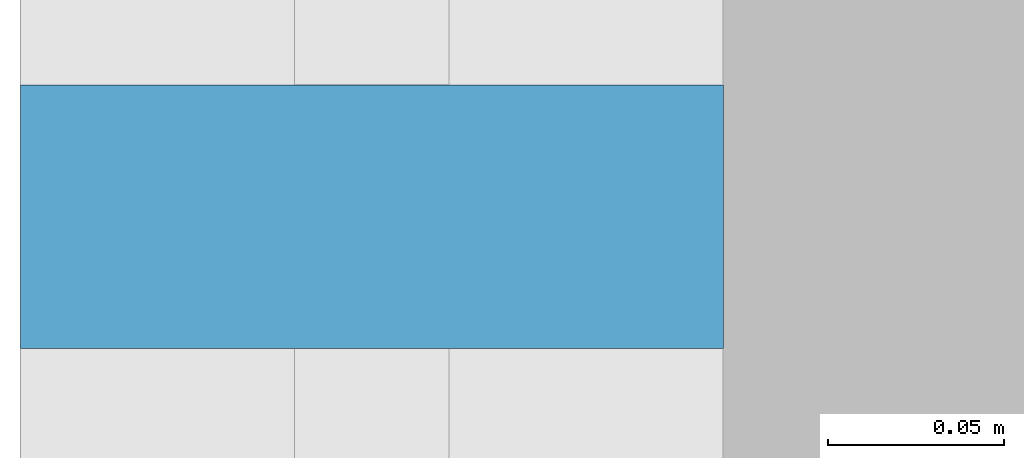
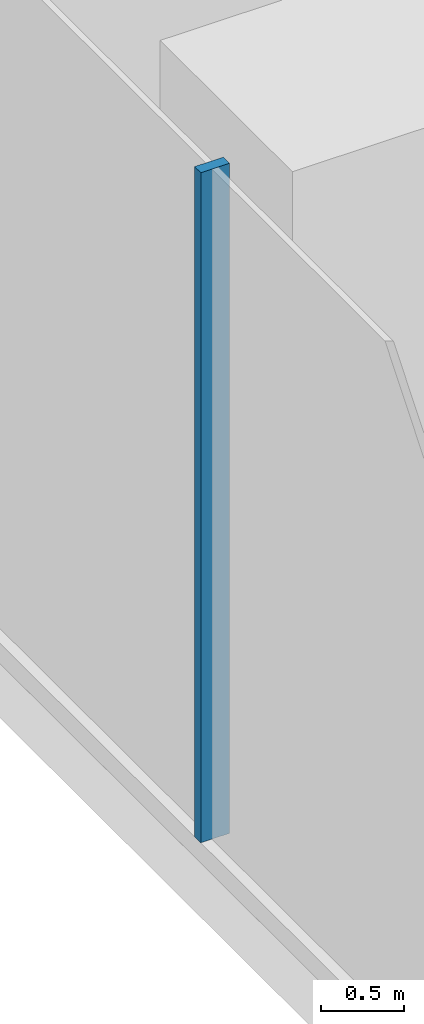
# One storey, part 5 of 30: 1 member, 1 element without a shape of its own.
"""IFC4 building model written with IfcOpenShell, lengths in metres."""

from ifc_helpers import new_model, si_unit, direction, frame, origin, origin_2d, place, context, subcontext, project, spatial, rectangle, extrude, source, transform, mapped, material, material_profile, profile_set, type_object, element, aggregate, save


model = new_model("IFC4")

# Units and contexts
model_context = context("Model", 3, precision=1e-05, world=origin(), true_north=direction((0.0, 1.0)))
body_context = subcontext(model_context, "Body", "Model", "MODEL_VIEW")
ifc_project = project(units=[si_unit("LENGTHUNIT", "METRE"), si_unit("AREAUNIT", "SQUARE_METRE"), si_unit("VOLUMEUNIT", "CUBIC_METRE"), si_unit("PLANEANGLEUNIT", "RADIAN"), si_unit("MASSUNIT", "GRAM", prefix="KILO")], contexts=[model_context])

# Site, building, storey
site_placement = place(None, origin())
site = spatial("IfcSite", under=ifc_project, at=site_placement, CompositionType="ELEMENT")
building_placement = place(site_placement, origin())
building = spatial("IfcBuilding", under=site, at=building_placement, Name="Kemantara Hotel Tower", CompositionType="ELEMENT")
storey_placement = place(building_placement, frame((0.0, 0.0, 18.0)))
storey = spatial("IfcBuildingStorey", under=building, at=storey_placement, Name="L03", CompositionType="ELEMENT", Elevation=18.0)

# Curtain wall, member
ifc_material_1 = material(Name="Laminated tinted insulated glass 44 mm", Category="glass")
curtain_wall_type = type_object("IfcCurtainWallType", Name="PODIUM GLASS CURTAIN WALL", PredefinedType="USERDEFINED", material=ifc_material_1)
curtain_wall_placement = place(storey_placement, origin())
curtain_wall = element("IfcCurtainWall", 1, at=curtain_wall_placement, inside=storey, type_object=curtain_wall_type, Name="CW1 L03 POD-R16-1", ObjectType="PODIUM GLASS CURTAIN WALL", PredefinedType="USERDEFINED")
ifc_material_2 = material(Name="Aluminium 6063-T6 bronze anodised", Category="aluminium")
ifc_material_profile = material_profile(ifc_material_2, rectangle(XDim=0.199951171875, YDim=0.074951171875, at=origin_2d()), Name="PODIUM GLASS CURTAIN WALL MULLION")
ifc_profile_set = profile_set([ifc_material_profile], Name="Aluminium 6063-T6 bronze anodised")
member_type = type_object("IfcMemberType", Name="PODIUM GLASS CURTAIN WALL MULLION", PredefinedType="MULLION", material=ifc_profile_set)
shared_shape = source(origin(), body_context, "Body", "SweptSolid", [
    extrude(rectangle(XDim=0.199951171875, YDim=0.074951171875, at=origin_2d()), origin(), (0.0, 0.0, 1.0), 4.9501953125),
])
member_placement = place(storey_placement, frame((0.10009765625, 36.199951171875, 0.14990234375), z_axis=(0.0, 0.0, 1.0), x_axis=(1.0, 0.0, 0.0)))
member = element("IfcMember", 2, at=member_placement, type_object=member_type, Name="CW1 mullion POD-R16-1.6", PredefinedType="MULLION", context=body_context, shape_type="MappedRepresentation", body=[
    mapped(shared_shape, transform((0.0, 0.0, 0.0))),
])
aggregate(curtain_wall, [member])

save(model, "model.ifc")
